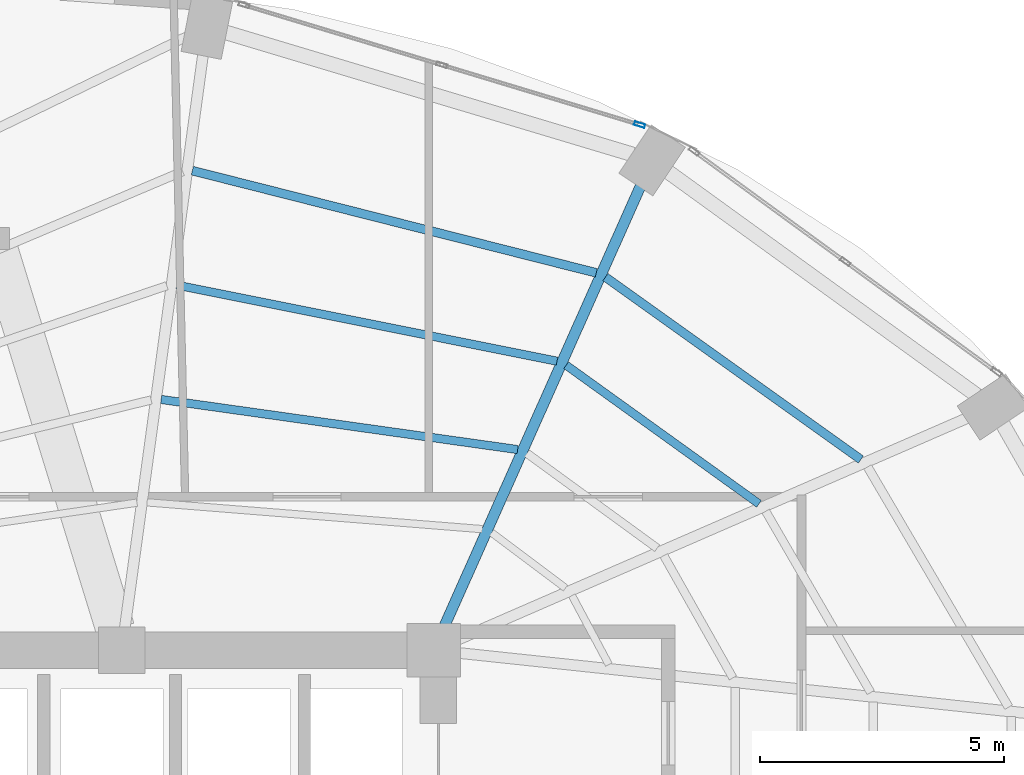
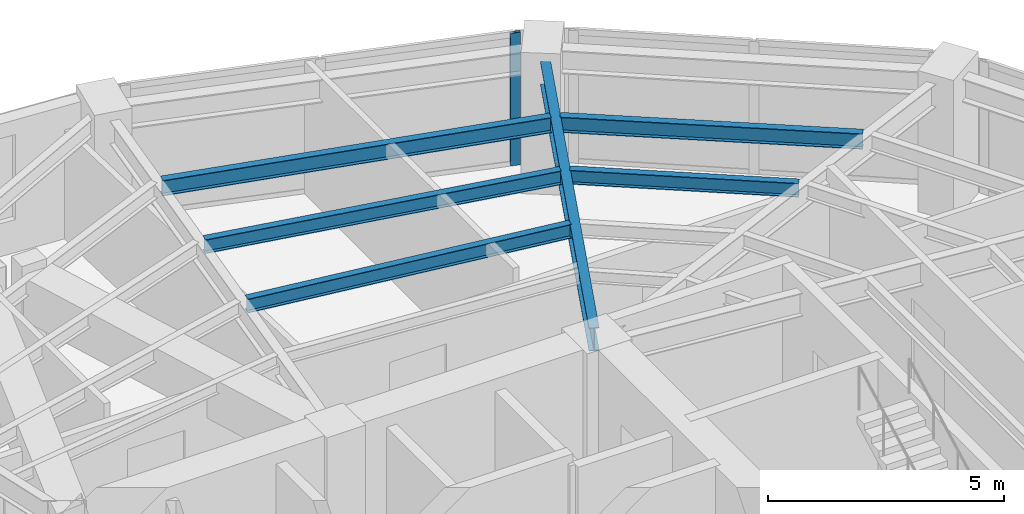
# One storey, part 16 of 23: 6 beams, 1 member, 1 element without a shape of its own.
"""IFC4 building model written with IfcOpenShell, lengths in metres."""

import ifcopenshell
import ifcopenshell.guid

model = None  # the IFC model being written
_history = None  # IfcOwnerHistory: only IFC2X3 demands one
_inside = {}  # id of a spatial element -> (the spatial element, [elements in it])
_under = {}  # id of a project, library or spatial element -> (it, [spatial elements below it])
_declared = {}  # id of a project -> (the project, [libraries it declares])
_typed = {}  # id of a type object -> (the type object, [elements of that type])
_made_of = {}  # id of a material, layer set ... -> (it, [elements and type objects made of it])


def new_model(schema):
    """Start an empty IFC model of exactly this schema.

    Asked for "IFC4X3", IfcOpenShell would pick the latest addendum, in which some entities
    have other attributes; the version numbers below select the first issue.
    IFC2X3 requires an IfcOwnerHistory on every rooted entity: one is made here for all.
    """
    global model, _history
    if schema == "IFC4X3":
        model = ifcopenshell.file(schema_version=(4, 3, 0, 0))
    else:
        model = ifcopenshell.file(schema=schema)
    _inside.clear()
    _under.clear()
    _declared.clear()
    _typed.clear()
    _made_of.clear()
    _history = None
    if model.schema == "IFC2X3":
        org = make("IfcOrganization", Name="unknown")
        user = make(
            "IfcPersonAndOrganization",
            ThePerson=make("IfcPerson", FamilyName="unknown"),
            TheOrganization=org,
        )
        app = make(
            "IfcApplication",
            ApplicationDeveloper=org,
            Version="unknown",
            ApplicationFullName="unknown",
            ApplicationIdentifier="unknown",
        )
        _history = make(
            "IfcOwnerHistory",
            OwningUser=user,
            OwningApplication=app,
            ChangeAction="ADDED",
            CreationDate=0,
        )
    return model


def make(cls, **values):
    """One entity of the class cls with the attributes given. An attribute that is None is left unset."""
    return model.create_entity(
        cls, **{name: value for name, value in values.items() if value is not None}
    )


def rooted(cls, **values):
    """An entity with a GlobalId (a new one), such as an element, a storey or a relation."""
    return make(cls, GlobalId=ifcopenshell.guid.new(), OwnerHistory=_history, **values)


def si_unit(unit_type, name, prefix=None):
    """IfcSIUnit, for example si_unit("LENGTHUNIT", "METRE", prefix="MILLI")."""
    return make("IfcSIUnit", UnitType=unit_type, Prefix=prefix, Name=name)


def assignment(units):
    """IfcUnitAssignment: the units of a project."""
    return None if units is None else make("IfcUnitAssignment", Units=units)


def point(xyz):
    """IfcCartesianPoint."""
    return None if xyz is None else make("IfcCartesianPoint", Coordinates=xyz)


def direction(xyz):
    """IfcDirection."""
    return None if xyz is None else make("IfcDirection", DirectionRatios=xyz)


def frame(location, z_axis=None, x_axis=None):
    """IfcAxis2Placement3D, a coordinate frame: its origin and axes. An axis left out is left unset."""
    return make(
        "IfcAxis2Placement3D",
        Location=point(location),
        Axis=direction(z_axis),
        RefDirection=direction(x_axis),
    )


def frame_2d(location, x_axis=None):
    """IfcAxis2Placement2D, a coordinate frame in the plane: its origin and x axis."""
    return make(
        "IfcAxis2Placement2D", Location=point(location), RefDirection=direction(x_axis)
    )


def origin():
    """The frame at (0, 0, 0) with its axes left unset."""
    return frame((0.0, 0.0, 0.0))


def origin_2d():
    """The frame at (0, 0) in the plane with its x axis left unset."""
    return frame_2d((0.0, 0.0))


def place(relative_to, where):
    """IfcLocalPlacement: puts the frame where relative to a parent placement (None: the world)."""
    return make(
        "IfcLocalPlacement", PlacementRelTo=relative_to, RelativePlacement=where
    )


def context(
    kind, dimensions, precision=None, world=None, true_north=None, identifier=None
):
    """IfcGeometricRepresentationContext, for example the 3D "Model" context."""
    return make(
        "IfcGeometricRepresentationContext",
        ContextIdentifier=identifier,
        ContextType=kind,
        CoordinateSpaceDimension=dimensions,
        Precision=precision,
        WorldCoordinateSystem=world,
        TrueNorth=true_north,
    )


def subcontext(parent, identifier, kind, view, scale=None):
    """IfcGeometricRepresentationSubContext, for example "Body" below "Model"."""
    return make(
        "IfcGeometricRepresentationSubContext",
        ContextIdentifier=identifier,
        ContextType=kind,
        ParentContext=parent,
        TargetScale=scale,
        TargetView=view,
    )


def project(units=None, contexts=None):
    """IfcProject with its units and contexts."""
    return rooted(
        "IfcProject",
        Name="project",
        RepresentationContexts=contexts,
        UnitsInContext=assignment(units),
    )


def spatial(cls, under=None, at=None, **own):
    """A site, building, storey or space (cls), placed at a placement, below another one or the project."""
    s = rooted(cls, ObjectPlacement=at, **own)
    if under is not None:
        _under.setdefault(under.id(), (under, []))[1].append(s)
    return s


def profile(cls, at=None, kind="AREA", **sizes):
    """A parametric profile (cls). Its sizes go by their IFC names, for example OverallWidth=200.0."""
    return make(cls, ProfileType=kind, Position=at, **sizes)


def hollow_rectangle(**sizes):
    """IfcRectangleHollowProfileDef."""
    return profile("IfcRectangleHollowProfileDef", **sizes)


def i_section(**sizes):
    """IfcIShapeProfileDef."""
    return profile("IfcIShapeProfileDef", **sizes)


def extrude(swept, where, along, depth):
    """IfcExtrudedAreaSolid: the profile swept, set in the frame where, extruded along a direction by depth."""
    return make(
        "IfcExtrudedAreaSolid",
        SweptArea=swept,
        Position=where,
        ExtrudedDirection=direction(along),
        Depth=depth,
    )


def shape(context_of_items, identifier, shape_type, items):
    """IfcShapeRepresentation: the items that make up one representation, for example the "Body"."""
    return make(
        "IfcShapeRepresentation",
        ContextOfItems=context_of_items,
        RepresentationIdentifier=identifier,
        RepresentationType=shape_type,
        Items=items,
    )


def material(Name=None, Category=None):
    """IfcMaterial."""
    return make("IfcMaterial", Name=Name, Category=Category)


def layer(
    of_material, thickness, ventilated=None, Name=None, Category=None, Priority=None
):
    """IfcMaterialLayer: one layer of a wall or slab, of a material (None: an air gap)."""
    return make(
        "IfcMaterialLayer",
        Material=of_material,
        LayerThickness=thickness,
        IsVentilated=ventilated,
        Name=Name,
        Category=Category,
        Priority=Priority,
    )


def layer_set(layers, Name=None):
    """IfcMaterialLayerSet."""
    return make("IfcMaterialLayerSet", MaterialLayers=layers, LayerSetName=Name)


def material_profile(
    of_material, cross_section, Name=None, Category=None, Priority=None
):
    """IfcMaterialProfile: a cross section and its material."""
    return make(
        "IfcMaterialProfile",
        Name=Name,
        Material=of_material,
        Profile=cross_section,
        Priority=Priority,
        Category=Category,
    )


def profile_set(profiles, Name=None, composite=None):
    """IfcMaterialProfileSet."""
    return make(
        "IfcMaterialProfileSet",
        Name=Name,
        MaterialProfiles=profiles,
        CompositeProfile=composite,
    )


def made_of(thing, what):
    """Note that an element or type object is made of a material, layer set ...; save() writes the relation."""
    if what is not None:
        _made_of.setdefault(what.id(), (what, []))[1].append(thing)
    return thing


def type_object(cls, material=None, **own):
    """A type object (cls), such as IfcWallType, which elements share."""
    return made_of(rooted(cls, **own), material)


def element(
    cls,
    number,
    at=None,
    inside=None,
    cuts=None,
    type_object=None,
    material=None,
    context=None,
    identifier="Body",
    shape_type=None,
    held_by="IfcProductDefinitionShape",
    body=None,
    shapes=None,
    **own,
):
    """One element of the class cls, such as IfcWall. Its Tag is "e" and its number.

    at: its placement. inside: the storey or other place that contains it. cuts: it is an
    opening in that element (IfcRelVoidsElement). A single representation is given by context,
    identifier, shape_type and body (its items); several are given by shapes. held_by: the class
    of the entity that holds the representations. save() writes the other relations.
    """
    e = rooted(cls, Tag="e%d" % number, ObjectPlacement=at, **own)
    if body is not None:
        shapes = [shape(context, identifier, shape_type, body)]
    if shapes is not None:
        e.Representation = make(held_by, Representations=shapes)
    if inside is not None:
        _inside.setdefault(inside.id(), (inside, []))[1].append(e)
    if cuts is not None:
        rooted(
            "IfcRelVoidsElement", RelatingBuildingElement=cuts, RelatedOpeningElement=e
        )
    if type_object is not None:
        _typed.setdefault(type_object.id(), (type_object, []))[1].append(e)
    return made_of(e, material)


def aggregate(whole, parts):
    """IfcRelAggregates: a whole, such as a stair, and the parts it consists of."""
    return rooted("IfcRelAggregates", RelatingObject=whole, RelatedObjects=parts)


def save(model, path):
    """Write the relations noted so far, then the file.

    IfcRelAggregates (storeys below a building ...), IfcRelContainedInSpatialStructure (elements
    in a storey), IfcRelDefinesByType, IfcRelAssociatesMaterial and IfcRelDeclares: one each for
    every whole, place, type object, material and project.
    """
    for whole, parts in _under.values():
        aggregate(whole, parts)
    for where, things in _inside.values():
        rooted(
            "IfcRelContainedInSpatialStructure",
            RelatedElements=things,
            RelatingStructure=where,
        )
    for kind, things in _typed.values():
        rooted("IfcRelDefinesByType", RelatedObjects=things, RelatingType=kind)
    for what, things in _made_of.values():
        rooted("IfcRelAssociatesMaterial", RelatedObjects=things, RelatingMaterial=what)
    for by, libraries in _declared.values():
        rooted("IfcRelDeclares", RelatingContext=by, RelatedDefinitions=libraries)
    model.write(path)


model = new_model("IFC4")

# Units and contexts
model_context = context("Model", 3, precision=1e-05, world=origin(), true_north=direction((0.0, 1.0)))
body_context = subcontext(model_context, "Body", "Model", "MODEL_VIEW")
ifc_project = project(units=[si_unit("LENGTHUNIT", "METRE"), si_unit("AREAUNIT", "SQUARE_METRE"), si_unit("VOLUMEUNIT", "CUBIC_METRE"), si_unit("PLANEANGLEUNIT", "RADIAN"), si_unit("MASSUNIT", "GRAM", prefix="KILO")], contexts=[model_context])

# Site, building, storey
site_placement = place(None, origin())
site = spatial("IfcSite", under=ifc_project, at=site_placement, CompositionType="ELEMENT")
building_placement = place(site_placement, origin())
building = spatial("IfcBuilding", under=site, at=building_placement, Name="Lazwardi Medical Tower", CompositionType="ELEMENT")
storey_placement = place(building_placement, frame((0.0, 0.0, 107.280029296875)))
storey = spatial("IfcBuildingStorey", under=building, at=storey_placement, Name="L27", CompositionType="ELEMENT", Elevation=107.280029296875)

# Beams
ifc_material_1 = material(Name="Steel S355", Category="steel")
ifc_material_profile_1 = material_profile(ifc_material_1, i_section(OverallWidth=0.219970703125, OverallDepth=0.60009765625, WebThickness=0.011962890625, FlangeThickness=0.01904296875, at=origin_2d()), Name="IPE 600")
ifc_profile_set_1 = profile_set([ifc_material_profile_1], Name="Steel S355")
beam_type_1 = type_object("IfcBeamType", Name="BM-RG-W1", PredefinedType="BEAM", material=ifc_profile_set_1)
beam_1_placement = place(storey_placement, frame((49.847412109375, 45.127685546875, 3.1279296875), z_axis=(-0.407165924957, -0.913354208155, 0.0), x_axis=(0.913354208155, -0.407165924957, 0.0)))
element("IfcBeam", 1, at=beam_1_placement, inside=storey, type_object=beam_type_1, Name="Radial girder RG-02 R07 L27", PredefinedType="BEAM", context=body_context, shape_type="SweptSolid", body=[
    extrude(i_section(OverallWidth=0.219970703125, OverallDepth=0.60009765625, WebThickness=0.011962890625, FlangeThickness=0.01904296875, at=origin_2d()), origin(), (0.0, 0.0, 1.0), 9.896484375),
])
ifc_material_profile_2 = material_profile(ifc_material_1, i_section(OverallWidth=0.179931640625, OverallDepth=0.39990234375, WebThickness=0.008544921875, FlangeThickness=0.013427734375, at=origin_2d()), Name="IPE 400")
ifc_profile_set_2 = profile_set([ifc_material_profile_2], Name="Steel S355")
beam_type_2 = type_object("IfcBeamType", Name="BM-SJ-01", PredefinedType="JOIST", material=ifc_profile_set_2)
beam_2_placement = place(storey_placement, frame((54.369384765625, 39.514404296875, 3.22802734375), z_axis=(-0.813748834317, 0.581216684763, 0.0), x_axis=(-0.581216684763, -0.813748834317, 0.0)))
element("IfcBeam", 2, at=beam_2_placement, inside=storey, type_object=beam_type_2, Name="Secondary joist SJ-01 R1 B06 L27", PredefinedType="JOIST", context=body_context, shape_type="SweptSolid", body=[
    extrude(i_section(OverallWidth=0.179931640625, OverallDepth=0.39990234375, WebThickness=0.008544921875, FlangeThickness=0.013427734375, at=origin_2d()), origin(), (0.0, 0.0, 1.0), 6.4423828125),
])
beam_3_placement = place(storey_placement, frame((48.939697265625, 43.345703125, 3.22802734375), z_axis=(-0.96945186753, 0.245281626997, 0.0), x_axis=(-0.245281626997, -0.96945186753, 0.0)))
element("IfcBeam", 3, at=beam_3_placement, inside=storey, type_object=beam_type_2, Name="Secondary joist SJ-01 R1 B07 L27", PredefinedType="JOIST", context=body_context, shape_type="SweptSolid", body=[
    extrude(i_section(OverallWidth=0.179931640625, OverallDepth=0.39990234375, WebThickness=0.008544921875, FlangeThickness=0.013427734375, at=origin_2d()), origin(), (0.0, 0.0, 1.0), 8.552978515625),
])
ifc_material_profile_3 = material_profile(ifc_material_1, i_section(OverallWidth=0.169921875, OverallDepth=0.360107421875, WebThickness=0.008056640625, FlangeThickness=0.0126953125, at=origin_2d()), Name="IPE 360")
ifc_profile_set_3 = profile_set([ifc_material_profile_3], Name="Steel S355")
beam_type_3 = type_object("IfcBeamType", Name="BM-SJ-02", PredefinedType="JOIST", material=ifc_profile_set_3)
beam_4_placement = place(storey_placement, frame((52.278564453125, 38.604736328125, 3.248046875), z_axis=(-0.811888517177, 0.583812500446, 0.0), x_axis=(-0.583812500446, -0.811888517177, 0.0)))
element("IfcBeam", 4, at=beam_4_placement, inside=storey, type_object=beam_type_3, Name="Secondary joist SJ-02 R2 B06 L27", PredefinedType="JOIST", context=body_context, shape_type="SweptSolid", body=[
    extrude(i_section(OverallWidth=0.169921875, OverallDepth=0.360107421875, WebThickness=0.008056640625, FlangeThickness=0.0126953125, at=origin_2d()), origin(), (0.0, 0.0, 1.0), 4.874755859375),
])
beam_5_placement = place(storey_placement, frame((48.1328125, 41.53271484375, 3.248046875), z_axis=(-0.980542906584, 0.196304886203, 0.0), x_axis=(-0.196304886203, -0.980542906584, 0.0)))
element("IfcBeam", 5, at=beam_5_placement, inside=storey, type_object=beam_type_3, Name="Secondary joist SJ-02 R2 B07 L27", PredefinedType="JOIST", context=body_context, shape_type="SweptSolid", body=[
    extrude(i_section(OverallWidth=0.169921875, OverallDepth=0.360107421875, WebThickness=0.008056640625, FlangeThickness=0.0126953125, at=origin_2d()), origin(), (0.0, 0.0, 1.0), 7.95947265625),
])
beam_6_placement = place(storey_placement, frame((47.32568359375, 39.718994140625, 3.248046875), z_axis=(-0.990260920731, 0.139223952222, 0.0), x_axis=(-0.139223952222, -0.990260920731, 0.0)))
element("IfcBeam", 6, at=beam_6_placement, inside=storey, type_object=beam_type_3, Name="Secondary joist SJ-02 R3 B07 L27", PredefinedType="JOIST", context=body_context, shape_type="SweptSolid", body=[
    extrude(i_section(OverallWidth=0.169921875, OverallDepth=0.360107421875, WebThickness=0.008056640625, FlangeThickness=0.0126953125, at=origin_2d()), origin(), (0.0, 0.0, 1.0), 7.3896484375),
])

# Curtain wall, member
ifc_material_2 = material(Name="Anodised bronze aluminium and solar control glazing", Category="aluminium")
ifc_layer = layer(ifc_material_2, 0.195068359375)
ifc_layer_set = layer_set([ifc_layer], Name="Anodised bronze aluminium and solar control glazing")
curtain_wall_type = type_object("IfcCurtainWallType", Name="CW-SYS-03", PredefinedType="NOTDEFINED", material=ifc_layer_set)
curtain_wall_placement = place(storey_placement, origin())
curtain_wall = element("IfcCurtainWall", 7, at=curtain_wall_placement, inside=storey, type_object=curtain_wall_type, Name="L27 Unitised bronze curtain wall CW-03", PredefinedType="NOTDEFINED")
ifc_material_3 = material(Name="Anodised bronze aluminium", Category="aluminium")
ifc_material_profile_4 = material_profile(ifc_material_3, hollow_rectangle(XDim=0.074951171875, YDim=0.219970703125, WallThickness=0.00390625, at=origin_2d()), Name="ALU-MULLION 220x75x4")
ifc_profile_set_4 = profile_set([ifc_material_profile_4], Name="Anodised bronze aluminium")
member_type = type_object("IfcMemberType", Name="CW-MUL-01", PredefinedType="MULLION", material=ifc_profile_set_4)
member_placement = place(storey_placement, frame((49.828369140625, 46.385986328125, 0.0), z_axis=(0.0, 0.0, 1.0), x_axis=(-0.28937381157, -0.957216170558, 0.0)))
member = element("IfcMember", 8, at=member_placement, type_object=member_type, Name="CW-03 mullion 1", PredefinedType="MULLION", context=body_context, shape_type="SweptSolid", body=[
    extrude(hollow_rectangle(XDim=0.074951171875, YDim=0.219970703125, WallThickness=0.00390625, at=origin_2d()), origin(), (0.0, 0.0, 1.0), 3.427978515625),
])
aggregate(curtain_wall, [member])

save(model, "model.ifc")
